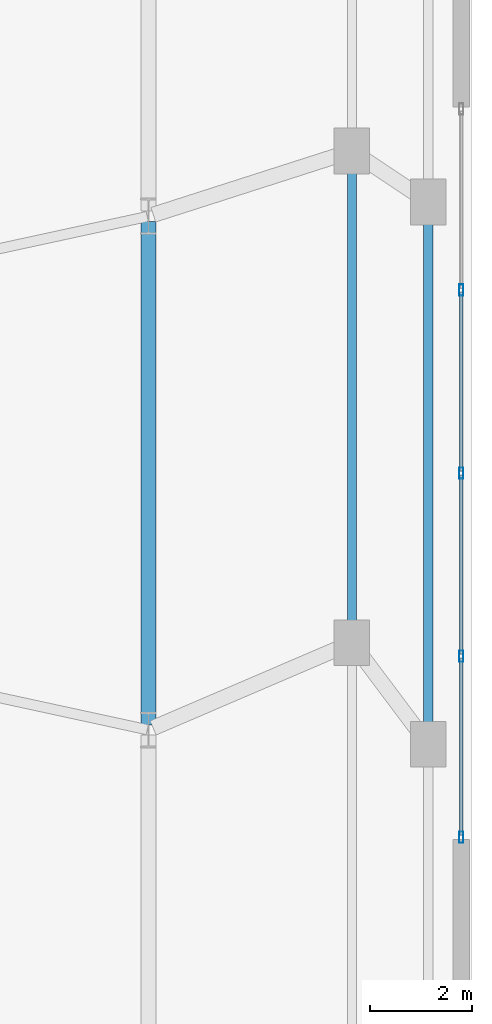
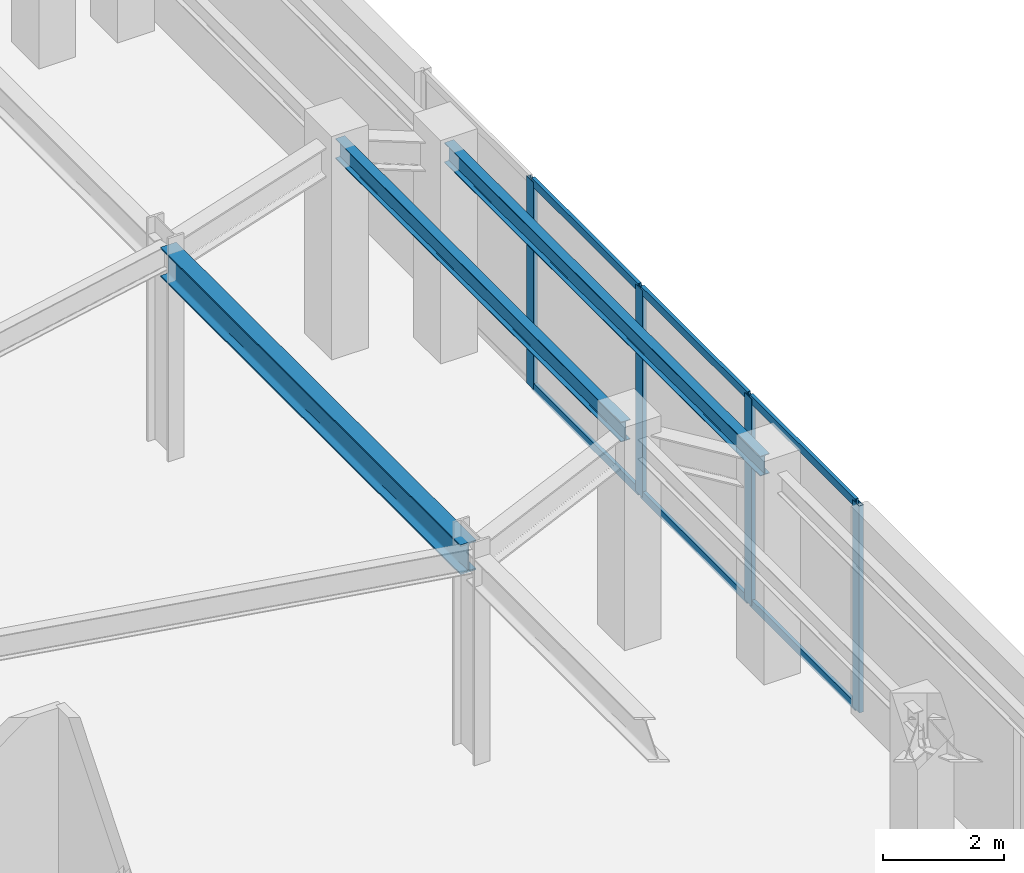
# One storey, part 11 of 21: 10 members, 3 beams, 1 element without a shape of its own.
"""IFC4 building model written with IfcOpenShell, lengths in metres."""

from ifc_helpers import new_model, si_unit, direction, frame, origin, origin_2d, place, context, subcontext, project, spatial, hollow_rectangle, i_section, extrude, material, layer, layer_set, material_profile, profile_set, type_object, element, aggregate, save


model = new_model("IFC4")

# Units and contexts
model_context = context("Model", 3, precision=1e-05, world=origin(), true_north=direction((0.0, 1.0)))
body_context = subcontext(model_context, "Body", "Model", "MODEL_VIEW")
ifc_project = project(units=[si_unit("LENGTHUNIT", "METRE"), si_unit("AREAUNIT", "SQUARE_METRE"), si_unit("VOLUMEUNIT", "CUBIC_METRE"), si_unit("PLANEANGLEUNIT", "RADIAN"), si_unit("MASSUNIT", "GRAM", prefix="KILO")], contexts=[model_context])

# Site, building, storey
site_placement = place(None, origin())
site = spatial("IfcSite", under=ifc_project, at=site_placement, CompositionType="ELEMENT")
building_placement = place(site_placement, origin())
building = spatial("IfcBuilding", under=site, at=building_placement, Name="Qobustan Lattice House", CompositionType="ELEMENT")
storey_placement = place(building_placement, frame((0.0, 0.0, 4.5)))
storey = spatial("IfcBuildingStorey", under=building, at=storey_placement, Name="L01", CompositionType="ELEMENT", Elevation=4.5)

# Beams
ifc_material_1 = material(Name="Steel S355", Category="steel")
ifc_material_profile_1 = material_profile(ifc_material_1, i_section(OverallWidth=0.300048828125, OverallDepth=0.60009765625, WebThickness=0.015380859375, FlangeThickness=0.030029296875, FilletRadius=0.027099609375, at=origin_2d()), Name="HEB600")
ifc_profile_set_1 = profile_set([ifc_material_profile_1], Name="Steel S355")
beam_type_1 = type_object("IfcBeamType", Name="BM-POD-HEB600", PredefinedType="USERDEFINED", material=ifc_profile_set_1)
beam_1_placement = place(storey_placement, frame((32.14990234375, -4.949951171875, 3.8701171875), z_axis=(0.0, 1.0, 0.0), x_axis=(-1.0, 0.0, 0.0)))
element("IfcBeam", 1, at=beam_1_placement, inside=storey, type_object=beam_type_1, Name="L01 tower base ring girder E2-E3", ObjectType="GIRDER", PredefinedType="USERDEFINED", context=body_context, shape_type="SweptSolid", body=[
    extrude(i_section(OverallWidth=0.300048828125, OverallDepth=0.60009765625, WebThickness=0.015380859375, FlangeThickness=0.030029296875, FilletRadius=0.027099609375, at=origin_2d()), origin(), (0.0, 0.0, 1.0), 9.89990234375),
])
ifc_material_2 = material(Name="Steel S355", Category="steel")
ifc_material_profile_2 = material_profile(ifc_material_2, i_section(OverallWidth=0.179931640625, OverallDepth=0.39990234375, WebThickness=0.008544921875, FlangeThickness=0.013427734375, FilletRadius=0.02099609375, at=origin_2d()), Name="IPE400")
ifc_profile_set_2 = profile_set([ifc_material_profile_2], Name="Steel S355")
beam_type_2 = type_object("IfcBeamType", Name="BM-SPD-IPE400", PredefinedType="SPANDREL", material=ifc_profile_set_2)
beam_2_placement = place(storey_placement, frame((36.14990234375, -3.21337890625, 3.969970703125), z_axis=(0.0, 1.0, 0.0), x_axis=(-1.0, 0.0, 0.0)))
element("IfcBeam", 2, at=beam_2_placement, inside=storey, type_object=beam_type_2, Name="L01 podium spandrel PE2-PE3", PredefinedType="SPANDREL", context=body_context, shape_type="SweptSolid", body=[
    extrude(i_section(OverallWidth=0.179931640625, OverallDepth=0.39990234375, WebThickness=0.008544921875, FlangeThickness=0.013427734375, FilletRadius=0.02099609375, at=origin_2d()), origin(), (0.0, 0.0, 1.0), 9.4267578125),
])
beam_3_placement = place(storey_placement, frame((37.64990234375, -5.21337890625, 3.969970703125), z_axis=(0.0, 1.0, 0.0), x_axis=(-1.0, 0.0, 0.0)))
element("IfcBeam", 3, at=beam_3_placement, inside=storey, type_object=beam_type_2, Name="L01 lower podium spandrel PEL2-PEL3", PredefinedType="SPANDREL", context=body_context, shape_type="SweptSolid", body=[
    extrude(i_section(OverallWidth=0.179931640625, OverallDepth=0.39990234375, WebThickness=0.008544921875, FlangeThickness=0.013427734375, FilletRadius=0.02099609375, at=origin_2d()), origin(), (0.0, 0.0, 1.0), 10.4267578125),
])

# Curtain wall, members
ifc_material_3 = material(Name="Anodised aluminium and low-E glazing", Category="aluminium")
ifc_layer = layer(ifc_material_3, 0.219970703125)
ifc_layer_set = layer_set([ifc_layer], Name="Anodised aluminium and low-E glazing")
curtain_wall_type = type_object("IfcCurtainWallType", Name="CW-POD-01", PredefinedType="USERDEFINED", material=ifc_layer_set)
curtain_wall_placement = place(storey_placement, origin())
curtain_wall = element("IfcCurtainWall", 4, at=curtain_wall_placement, inside=storey, type_object=curtain_wall_type, Name="L01 E podium colonnade curtain wall", ObjectType="CURTAIN WALL", PredefinedType="USERDEFINED")
ifc_material_4 = material(Name="Anodised aluminium EN AW-6063 T6", Category="aluminium")
ifc_material_profile_3 = material_profile(ifc_material_4, hollow_rectangle(XDim=0.080078125, YDim=0.219970703125, WallThickness=0.0048828125, at=origin_2d()), Name="CWM-220x80")
ifc_profile_set_3 = profile_set([ifc_material_profile_3], Name="Anodised aluminium EN AW-6063 T6")
member_type_1 = type_object("IfcMemberType", Name="CWM-MAIN-220", PredefinedType="MULLION", material=ifc_profile_set_3)
member_1_placement = place(storey_placement, frame((38.300048828125, 3.60009765625, 0.0), z_axis=(0.0, 0.0, 1.0), x_axis=(1.0, 0.0, 0.0)))
member_1 = element("IfcMember", 5, at=member_1_placement, type_object=member_type_1, Name="CW-P1 mullion 2", PredefinedType="MULLION", context=body_context, shape_type="SweptSolid", body=[
    extrude(hollow_rectangle(XDim=0.080078125, YDim=0.219970703125, WallThickness=0.0048828125, at=origin_2d()), origin(), (0.0, 0.0, 1.0), 4.169921875),
])
member_2_placement = place(storey_placement, frame((38.300048828125, 0.0, 0.0), z_axis=(0.0, 0.0, 1.0), x_axis=(1.0, 0.0, 0.0)))
member_2 = element("IfcMember", 6, at=member_2_placement, type_object=member_type_1, Name="CW-P1 mullion 3", PredefinedType="MULLION", context=body_context, shape_type="SweptSolid", body=[
    extrude(hollow_rectangle(XDim=0.080078125, YDim=0.219970703125, WallThickness=0.0048828125, at=origin_2d()), origin(), (0.0, 0.0, 1.0), 4.169921875),
])
member_3_placement = place(storey_placement, frame((38.300048828125, -3.60009765625, 0.0), z_axis=(0.0, 0.0, 1.0), x_axis=(1.0, 0.0, 0.0)))
member_3 = element("IfcMember", 7, at=member_3_placement, type_object=member_type_1, Name="CW-P1 mullion 4", PredefinedType="MULLION", context=body_context, shape_type="SweptSolid", body=[
    extrude(hollow_rectangle(XDim=0.080078125, YDim=0.219970703125, WallThickness=0.0048828125, at=origin_2d()), origin(), (0.0, 0.0, 1.0), 4.169921875),
])
member_4_placement = place(storey_placement, frame((38.300048828125, -7.159912109375, 0.0), z_axis=(0.0, 0.0, 1.0), x_axis=(1.0, 0.0, 0.0)))
member_4 = element("IfcMember", 8, at=member_4_placement, type_object=member_type_1, Name="CW-P1 mullion 5", PredefinedType="MULLION", context=body_context, shape_type="SweptSolid", body=[
    extrude(hollow_rectangle(XDim=0.080078125, YDim=0.219970703125, WallThickness=0.0048828125, at=origin_2d()), origin(), (0.0, 0.0, 1.0), 4.169921875),
])
ifc_material_5 = material(Name="Anodised aluminium EN AW-6063 T6", Category="aluminium")
ifc_material_profile_4 = material_profile(ifc_material_5, hollow_rectangle(XDim=0.06494140625, YDim=0.159912109375, WallThickness=0.00390625, at=origin_2d()), Name="CWT-160x65")
ifc_profile_set_4 = profile_set([ifc_material_profile_4], Name="Anodised aluminium EN AW-6063 T6")
member_type_2 = type_object("IfcMemberType", Name="CWT-HOR-160", PredefinedType="USERDEFINED", material=ifc_profile_set_4)
member_5_placement = place(storey_placement, frame((38.300048828125, 3.56005859375, 0.032470703125), z_axis=(0.0, -1.0, 0.0), x_axis=(1.0, 0.0, 0.0)))
member_5 = element("IfcMember", 9, at=member_5_placement, type_object=member_type_2, Name="CW-P1 transom 2.1", ObjectType="TRANSOM", PredefinedType="USERDEFINED", context=body_context, shape_type="SweptSolid", body=[
    extrude(hollow_rectangle(XDim=0.06494140625, YDim=0.159912109375, WallThickness=0.00390625, at=origin_2d()), origin(), (0.0, 0.0, 1.0), 3.52001953125),
])
member_6_placement = place(storey_placement, frame((38.300048828125, 3.56005859375, 4.137451171875), z_axis=(0.0, -1.0, 0.0), x_axis=(1.0, 0.0, 0.0)))
member_6 = element("IfcMember", 10, at=member_6_placement, type_object=member_type_2, Name="CW-P1 transom 2.2", ObjectType="TRANSOM", PredefinedType="USERDEFINED", context=body_context, shape_type="SweptSolid", body=[
    extrude(hollow_rectangle(XDim=0.06494140625, YDim=0.159912109375, WallThickness=0.00390625, at=origin_2d()), origin(), (0.0, 0.0, 1.0), 3.52001953125),
])
member_7_placement = place(storey_placement, frame((38.300048828125, -0.0400390625, 0.032470703125), z_axis=(0.0, -1.0, 0.0), x_axis=(1.0, 0.0, 0.0)))
member_7 = element("IfcMember", 11, at=member_7_placement, type_object=member_type_2, Name="CW-P1 transom 3.1", ObjectType="TRANSOM", PredefinedType="USERDEFINED", context=body_context, shape_type="SweptSolid", body=[
    extrude(hollow_rectangle(XDim=0.06494140625, YDim=0.159912109375, WallThickness=0.00390625, at=origin_2d()), origin(), (0.0, 0.0, 1.0), 3.52001953125),
])
member_8_placement = place(storey_placement, frame((38.300048828125, -0.0400390625, 4.137451171875), z_axis=(0.0, -1.0, 0.0), x_axis=(1.0, 0.0, 0.0)))
member_8 = element("IfcMember", 12, at=member_8_placement, type_object=member_type_2, Name="CW-P1 transom 3.2", ObjectType="TRANSOM", PredefinedType="USERDEFINED", context=body_context, shape_type="SweptSolid", body=[
    extrude(hollow_rectangle(XDim=0.06494140625, YDim=0.159912109375, WallThickness=0.00390625, at=origin_2d()), origin(), (0.0, 0.0, 1.0), 3.52001953125),
])
member_9_placement = place(storey_placement, frame((38.300048828125, -3.639892578125, 0.032470703125), z_axis=(0.0, -1.0, 0.0), x_axis=(1.0, 0.0, 0.0)))
member_9 = element("IfcMember", 13, at=member_9_placement, type_object=member_type_2, Name="CW-P1 transom 4.1", ObjectType="TRANSOM", PredefinedType="USERDEFINED", context=body_context, shape_type="SweptSolid", body=[
    extrude(hollow_rectangle(XDim=0.06494140625, YDim=0.159912109375, WallThickness=0.00390625, at=origin_2d()), origin(), (0.0, 0.0, 1.0), 3.480224609375),
])
member_10_placement = place(storey_placement, frame((38.300048828125, -3.639892578125, 4.137451171875), z_axis=(0.0, -1.0, 0.0), x_axis=(1.0, 0.0, 0.0)))
member_10 = element("IfcMember", 14, at=member_10_placement, type_object=member_type_2, Name="CW-P1 transom 4.2", ObjectType="TRANSOM", PredefinedType="USERDEFINED", context=body_context, shape_type="SweptSolid", body=[
    extrude(hollow_rectangle(XDim=0.06494140625, YDim=0.159912109375, WallThickness=0.00390625, at=origin_2d()), origin(), (0.0, 0.0, 1.0), 3.480224609375),
])
aggregate(curtain_wall, [member_1, member_2, member_3, member_4, member_5, member_6, member_7, member_8, member_9, member_10])

save(model, "model.ifc")
